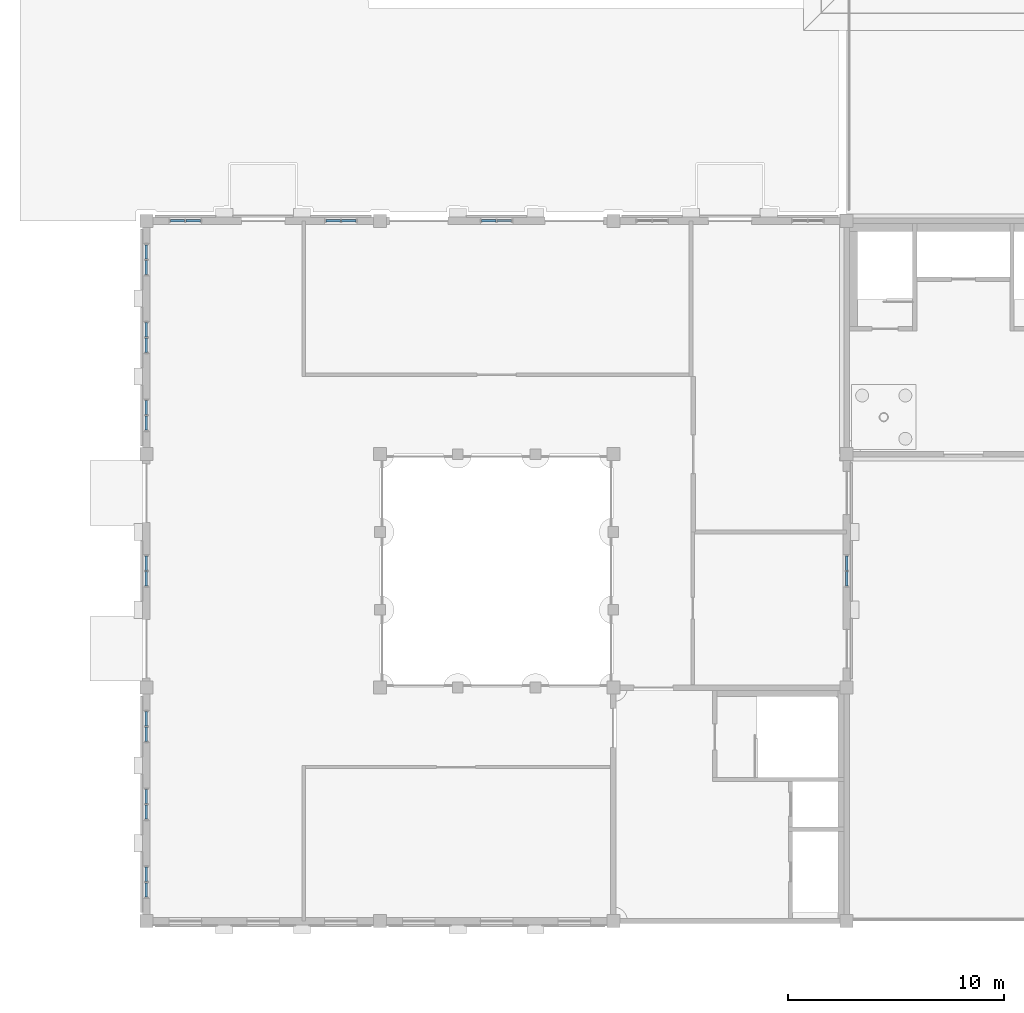
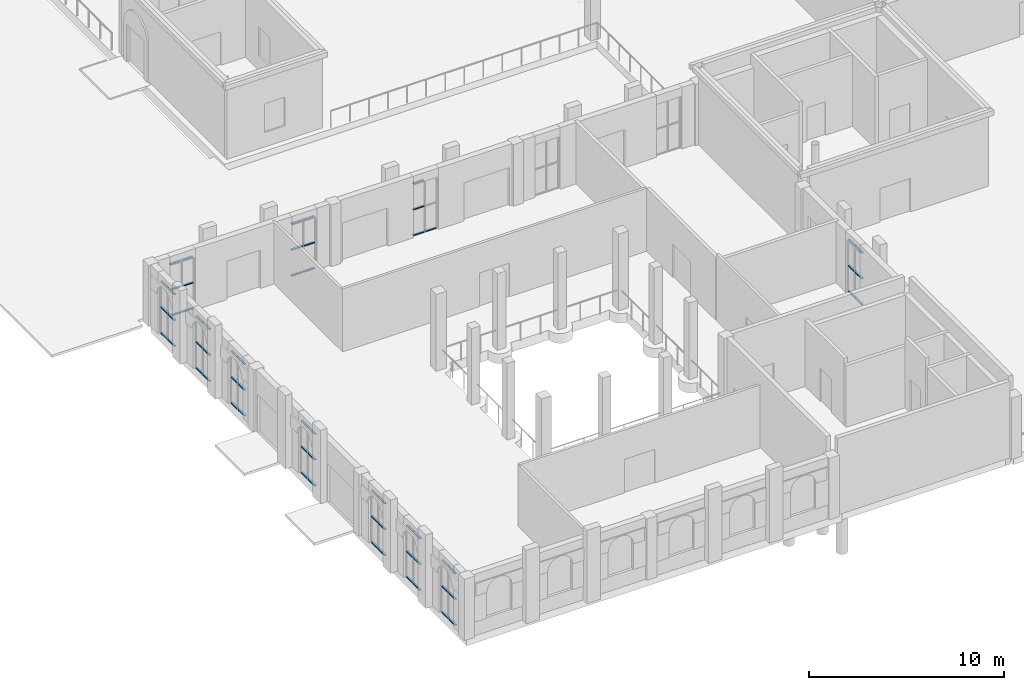
# One storey, part 28 of 91: 64 members, 11 elements without a shape of their own.
"""IFC4 building model written with IfcOpenShell, lengths in metres."""

from ifc_helpers import new_model, si_unit, direction, frame, origin, origin_2d, place, context, subcontext, project, spatial, rectangle, extrude, material, layer, layer_set, material_profile, profile_set, type_object, element, aggregate, save


model = new_model("IFC4")

# Units and contexts
model_context = context("Model", 3, precision=1e-05, world=origin(), true_north=direction((0.0, 1.0)))
body_context = subcontext(model_context, "Body", "Model", "MODEL_VIEW")
ifc_project = project(units=[si_unit("LENGTHUNIT", "METRE"), si_unit("AREAUNIT", "SQUARE_METRE"), si_unit("VOLUMEUNIT", "CUBIC_METRE"), si_unit("PLANEANGLEUNIT", "RADIAN"), si_unit("MASSUNIT", "GRAM", prefix="KILO")], contexts=[model_context])

# Site, building, storey
site_placement = place(None, origin())
site = spatial("IfcSite", under=ifc_project, at=site_placement, CompositionType="ELEMENT")
building_placement = place(site_placement, origin())
building = spatial("IfcBuilding", under=site, at=building_placement, Name="Magnolia Steps Interchange", CompositionType="ELEMENT")
storey_placement = place(building_placement, origin())
storey = spatial("IfcBuildingStorey", under=building, at=storey_placement, Name="L00", CompositionType="ELEMENT", Elevation=0.0)

# Curtain wall, members
ifc_material_1 = material(Name="Timber-framed glazing", Category="wood")
ifc_layer = layer(ifc_material_1, 0.139892578125)
ifc_layer_set = layer_set([ifc_layer], Name="Cycle hub shopfront curtain wall")
curtain_wall_type = type_object("IfcCurtainWallType", Name="Cycle hub shopfront curtain wall", PredefinedType="NOTDEFINED", material=ifc_layer_set)
curtain_wall_1_placement = place(storey_placement, origin())
curtain_wall_1 = element("IfcCurtainWall", 1, at=curtain_wall_1_placement, inside=storey, type_object=curtain_wall_type, Name="Cycle hub west wall L00 glazing 2", PredefinedType="NOTDEFINED")
ifc_material_2 = material(Name="White powder-coated aluminium", Category="aluminium")
ifc_material_profile = material_profile(ifc_material_2, rectangle(XDim=0.06005859375, YDim=0.1201171875, at=origin_2d()), Name="Aluminium transom 60 x 120")
ifc_profile_set = profile_set([ifc_material_profile], Name="White powder-coated aluminium")
member_type = type_object("IfcMemberType", Name="Aluminium transom 60 x 120", PredefinedType="USERDEFINED", material=ifc_profile_set)
member_1_placement = place(storey_placement, frame((10.0, 11.110107421875, 0.030029296875), z_axis=(0.0, 1.0, 0.0), x_axis=(0.0, 0.0, 1.0)))
member_1 = element("IfcMember", 2, at=member_1_placement, type_object=member_type, Name="CW7 transom 1.1", ObjectType="TRANSOM", PredefinedType="USERDEFINED", context=body_context, shape_type="SweptSolid", body=[
    extrude(rectangle(XDim=0.06005859375, YDim=0.1201171875, at=origin_2d()), origin(), (0.0, 0.0, 1.0), 0.659912109375),
])
member_2_placement = place(storey_placement, frame((10.0, 11.110107421875, 1.64990234375), z_axis=(0.0, 1.0, 0.0), x_axis=(0.0, 0.0, 1.0)))
member_2 = element("IfcMember", 3, at=member_2_placement, type_object=member_type, Name="CW7 transom 1.2", ObjectType="TRANSOM", PredefinedType="USERDEFINED", context=body_context, shape_type="SweptSolid", body=[
    extrude(rectangle(XDim=0.06005859375, YDim=0.1201171875, at=origin_2d()), origin(), (0.0, 0.0, 1.0), 0.659912109375),
])
member_3_placement = place(storey_placement, frame((10.0, 11.110107421875, 3.27001953125), z_axis=(0.0, 1.0, 0.0), x_axis=(0.0, 0.0, 1.0)))
member_3 = element("IfcMember", 4, at=member_3_placement, type_object=member_type, Name="CW7 transom 1.3", ObjectType="TRANSOM", PredefinedType="USERDEFINED", context=body_context, shape_type="SweptSolid", body=[
    extrude(rectangle(XDim=0.06005859375, YDim=0.1201171875, at=origin_2d()), origin(), (0.0, 0.0, 1.0), 0.659912109375),
])
member_4_placement = place(storey_placement, frame((10.0, 11.830078125, 0.030029296875), z_axis=(0.0, 1.0, 0.0), x_axis=(0.0, 0.0, 1.0)))
member_4 = element("IfcMember", 5, at=member_4_placement, type_object=member_type, Name="CW7 transom 2.1", ObjectType="TRANSOM", PredefinedType="USERDEFINED", context=body_context, shape_type="SweptSolid", body=[
    extrude(rectangle(XDim=0.06005859375, YDim=0.1201171875, at=origin_2d()), origin(), (0.0, 0.0, 1.0), 0.659912109375),
])
member_5_placement = place(storey_placement, frame((10.0, 11.830078125, 1.64990234375), z_axis=(0.0, 1.0, 0.0), x_axis=(0.0, 0.0, 1.0)))
member_5 = element("IfcMember", 6, at=member_5_placement, type_object=member_type, Name="CW7 transom 2.2", ObjectType="TRANSOM", PredefinedType="USERDEFINED", context=body_context, shape_type="SweptSolid", body=[
    extrude(rectangle(XDim=0.06005859375, YDim=0.1201171875, at=origin_2d()), origin(), (0.0, 0.0, 1.0), 0.659912109375),
])
member_6_placement = place(storey_placement, frame((10.0, 11.830078125, 3.27001953125), z_axis=(0.0, 1.0, 0.0), x_axis=(0.0, 0.0, 1.0)))
member_6 = element("IfcMember", 7, at=member_6_placement, type_object=member_type, Name="CW7 transom 2.3", ObjectType="TRANSOM", PredefinedType="USERDEFINED", context=body_context, shape_type="SweptSolid", body=[
    extrude(rectangle(XDim=0.06005859375, YDim=0.1201171875, at=origin_2d()), origin(), (0.0, 0.0, 1.0), 0.659912109375),
])
aggregate(curtain_wall_1, [member_1, member_2, member_3, member_4, member_5, member_6])

curtain_wall_2_placement = place(storey_placement, origin())
curtain_wall_2 = element("IfcCurtainWall", 8, at=curtain_wall_2_placement, inside=storey, type_object=curtain_wall_type, Name="Cycle hub west wall L00 glazing 4", PredefinedType="NOTDEFINED")
member_7_placement = place(storey_placement, frame((10.0, 14.7099609375, 0.030029296875), z_axis=(0.0, 1.0, 0.0), x_axis=(0.0, 0.0, 1.0)))
member_7 = element("IfcMember", 9, at=member_7_placement, type_object=member_type, Name="CW7 transom 1.1", ObjectType="TRANSOM", PredefinedType="USERDEFINED", context=body_context, shape_type="SweptSolid", body=[
    extrude(rectangle(XDim=0.06005859375, YDim=0.1201171875, at=origin_2d()), origin(), (0.0, 0.0, 1.0), 0.66015625),
])
member_8_placement = place(storey_placement, frame((10.0, 14.7099609375, 1.64990234375), z_axis=(0.0, 1.0, 0.0), x_axis=(0.0, 0.0, 1.0)))
member_8 = element("IfcMember", 10, at=member_8_placement, type_object=member_type, Name="CW7 transom 1.2", ObjectType="TRANSOM", PredefinedType="USERDEFINED", context=body_context, shape_type="SweptSolid", body=[
    extrude(rectangle(XDim=0.06005859375, YDim=0.1201171875, at=origin_2d()), origin(), (0.0, 0.0, 1.0), 0.66015625),
])
member_9_placement = place(storey_placement, frame((10.0, 14.7099609375, 3.27001953125), z_axis=(0.0, 1.0, 0.0), x_axis=(0.0, 0.0, 1.0)))
member_9 = element("IfcMember", 11, at=member_9_placement, type_object=member_type, Name="CW7 transom 1.3", ObjectType="TRANSOM", PredefinedType="USERDEFINED", context=body_context, shape_type="SweptSolid", body=[
    extrude(rectangle(XDim=0.06005859375, YDim=0.1201171875, at=origin_2d()), origin(), (0.0, 0.0, 1.0), 0.66015625),
])
member_10_placement = place(storey_placement, frame((10.0, 15.429931640625, 0.030029296875), z_axis=(0.0, 1.0, 0.0), x_axis=(0.0, 0.0, 1.0)))
member_10 = element("IfcMember", 12, at=member_10_placement, type_object=member_type, Name="CW7 transom 2.1", ObjectType="TRANSOM", PredefinedType="USERDEFINED", context=body_context, shape_type="SweptSolid", body=[
    extrude(rectangle(XDim=0.06005859375, YDim=0.1201171875, at=origin_2d()), origin(), (0.0, 0.0, 1.0), 0.66015625),
])
member_11_placement = place(storey_placement, frame((10.0, 15.429931640625, 1.64990234375), z_axis=(0.0, 1.0, 0.0), x_axis=(0.0, 0.0, 1.0)))
member_11 = element("IfcMember", 13, at=member_11_placement, type_object=member_type, Name="CW7 transom 2.2", ObjectType="TRANSOM", PredefinedType="USERDEFINED", context=body_context, shape_type="SweptSolid", body=[
    extrude(rectangle(XDim=0.06005859375, YDim=0.1201171875, at=origin_2d()), origin(), (0.0, 0.0, 1.0), 0.66015625),
])
member_12_placement = place(storey_placement, frame((10.0, 15.429931640625, 3.27001953125), z_axis=(0.0, 1.0, 0.0), x_axis=(0.0, 0.0, 1.0)))
member_12 = element("IfcMember", 14, at=member_12_placement, type_object=member_type, Name="CW7 transom 2.3", ObjectType="TRANSOM", PredefinedType="USERDEFINED", context=body_context, shape_type="SweptSolid", body=[
    extrude(rectangle(XDim=0.06005859375, YDim=0.1201171875, at=origin_2d()), origin(), (0.0, 0.0, 1.0), 0.66015625),
])
aggregate(curtain_wall_2, [member_7, member_8, member_9, member_10, member_11, member_12])

curtain_wall_3_placement = place(storey_placement, origin())
curtain_wall_3 = element("IfcCurtainWall", 15, at=curtain_wall_3_placement, inside=storey, type_object=curtain_wall_type, Name="Cycle hub west wall L00 glazing 6", PredefinedType="NOTDEFINED")
member_13_placement = place(storey_placement, frame((10.0, 18.31005859375, 0.030029296875), z_axis=(0.0, 1.0, 0.0), x_axis=(0.0, 0.0, 1.0)))
member_13 = element("IfcMember", 16, at=member_13_placement, type_object=member_type, Name="CW7 transom 1.1", ObjectType="TRANSOM", PredefinedType="USERDEFINED", context=body_context, shape_type="SweptSolid", body=[
    extrude(rectangle(XDim=0.06005859375, YDim=0.1201171875, at=origin_2d()), origin(), (0.0, 0.0, 1.0), 0.659912109375),
])
member_14_placement = place(storey_placement, frame((10.0, 18.31005859375, 1.64990234375), z_axis=(0.0, 1.0, 0.0), x_axis=(0.0, 0.0, 1.0)))
member_14 = element("IfcMember", 17, at=member_14_placement, type_object=member_type, Name="CW7 transom 1.2", ObjectType="TRANSOM", PredefinedType="USERDEFINED", context=body_context, shape_type="SweptSolid", body=[
    extrude(rectangle(XDim=0.06005859375, YDim=0.1201171875, at=origin_2d()), origin(), (0.0, 0.0, 1.0), 0.659912109375),
])
member_15_placement = place(storey_placement, frame((10.0, 18.31005859375, 3.27001953125), z_axis=(0.0, 1.0, 0.0), x_axis=(0.0, 0.0, 1.0)))
member_15 = element("IfcMember", 18, at=member_15_placement, type_object=member_type, Name="CW7 transom 1.3", ObjectType="TRANSOM", PredefinedType="USERDEFINED", context=body_context, shape_type="SweptSolid", body=[
    extrude(rectangle(XDim=0.06005859375, YDim=0.1201171875, at=origin_2d()), origin(), (0.0, 0.0, 1.0), 0.659912109375),
])
member_16_placement = place(storey_placement, frame((10.0, 19.030029296875, 0.030029296875), z_axis=(0.0, 1.0, 0.0), x_axis=(0.0, 0.0, 1.0)))
member_16 = element("IfcMember", 19, at=member_16_placement, type_object=member_type, Name="CW7 transom 2.1", ObjectType="TRANSOM", PredefinedType="USERDEFINED", context=body_context, shape_type="SweptSolid", body=[
    extrude(rectangle(XDim=0.06005859375, YDim=0.1201171875, at=origin_2d()), origin(), (0.0, 0.0, 1.0), 0.659912109375),
])
member_17_placement = place(storey_placement, frame((10.0, 19.030029296875, 1.64990234375), z_axis=(0.0, 1.0, 0.0), x_axis=(0.0, 0.0, 1.0)))
member_17 = element("IfcMember", 20, at=member_17_placement, type_object=member_type, Name="CW7 transom 2.2", ObjectType="TRANSOM", PredefinedType="USERDEFINED", context=body_context, shape_type="SweptSolid", body=[
    extrude(rectangle(XDim=0.06005859375, YDim=0.1201171875, at=origin_2d()), origin(), (0.0, 0.0, 1.0), 0.659912109375),
])
member_18_placement = place(storey_placement, frame((10.0, 19.030029296875, 3.27001953125), z_axis=(0.0, 1.0, 0.0), x_axis=(0.0, 0.0, 1.0)))
member_18 = element("IfcMember", 21, at=member_18_placement, type_object=member_type, Name="CW7 transom 2.3", ObjectType="TRANSOM", PredefinedType="USERDEFINED", context=body_context, shape_type="SweptSolid", body=[
    extrude(rectangle(XDim=0.06005859375, YDim=0.1201171875, at=origin_2d()), origin(), (0.0, 0.0, 1.0), 0.659912109375),
])
aggregate(curtain_wall_3, [member_13, member_14, member_15, member_16, member_17, member_18])

curtain_wall_4_placement = place(storey_placement, origin())
curtain_wall_4 = element("IfcCurtainWall", 22, at=curtain_wall_4_placement, inside=storey, type_object=curtain_wall_type, Name="Cycle hub west wall L00 glazing 8", PredefinedType="NOTDEFINED")
member_19_placement = place(storey_placement, frame((10.0, 25.510009765625, 0.030029296875), z_axis=(0.0, 1.0, 0.0), x_axis=(0.0, 0.0, 1.0)))
member_19 = element("IfcMember", 23, at=member_19_placement, type_object=member_type, Name="CW7 transom 1.1", ObjectType="TRANSOM", PredefinedType="USERDEFINED", context=body_context, shape_type="SweptSolid", body=[
    extrude(rectangle(XDim=0.06005859375, YDim=0.1201171875, at=origin_2d()), origin(), (0.0, 0.0, 1.0), 0.659912109375),
])
member_20_placement = place(storey_placement, frame((10.0, 25.510009765625, 1.64990234375), z_axis=(0.0, 1.0, 0.0), x_axis=(0.0, 0.0, 1.0)))
member_20 = element("IfcMember", 24, at=member_20_placement, type_object=member_type, Name="CW7 transom 1.2", ObjectType="TRANSOM", PredefinedType="USERDEFINED", context=body_context, shape_type="SweptSolid", body=[
    extrude(rectangle(XDim=0.06005859375, YDim=0.1201171875, at=origin_2d()), origin(), (0.0, 0.0, 1.0), 0.659912109375),
])
member_21_placement = place(storey_placement, frame((10.0, 25.510009765625, 3.27001953125), z_axis=(0.0, 1.0, 0.0), x_axis=(0.0, 0.0, 1.0)))
member_21 = element("IfcMember", 25, at=member_21_placement, type_object=member_type, Name="CW7 transom 1.3", ObjectType="TRANSOM", PredefinedType="USERDEFINED", context=body_context, shape_type="SweptSolid", body=[
    extrude(rectangle(XDim=0.06005859375, YDim=0.1201171875, at=origin_2d()), origin(), (0.0, 0.0, 1.0), 0.659912109375),
])
member_22_placement = place(storey_placement, frame((10.0, 26.22998046875, 0.030029296875), z_axis=(0.0, 1.0, 0.0), x_axis=(0.0, 0.0, 1.0)))
member_22 = element("IfcMember", 26, at=member_22_placement, type_object=member_type, Name="CW7 transom 2.1", ObjectType="TRANSOM", PredefinedType="USERDEFINED", context=body_context, shape_type="SweptSolid", body=[
    extrude(rectangle(XDim=0.06005859375, YDim=0.1201171875, at=origin_2d()), origin(), (0.0, 0.0, 1.0), 0.659912109375),
])
member_23_placement = place(storey_placement, frame((10.0, 26.22998046875, 1.64990234375), z_axis=(0.0, 1.0, 0.0), x_axis=(0.0, 0.0, 1.0)))
member_23 = element("IfcMember", 27, at=member_23_placement, type_object=member_type, Name="CW7 transom 2.2", ObjectType="TRANSOM", PredefinedType="USERDEFINED", context=body_context, shape_type="SweptSolid", body=[
    extrude(rectangle(XDim=0.06005859375, YDim=0.1201171875, at=origin_2d()), origin(), (0.0, 0.0, 1.0), 0.659912109375),
])
member_24_placement = place(storey_placement, frame((10.0, 26.22998046875, 3.27001953125), z_axis=(0.0, 1.0, 0.0), x_axis=(0.0, 0.0, 1.0)))
member_24 = element("IfcMember", 28, at=member_24_placement, type_object=member_type, Name="CW7 transom 2.3", ObjectType="TRANSOM", PredefinedType="USERDEFINED", context=body_context, shape_type="SweptSolid", body=[
    extrude(rectangle(XDim=0.06005859375, YDim=0.1201171875, at=origin_2d()), origin(), (0.0, 0.0, 1.0), 0.659912109375),
])
aggregate(curtain_wall_4, [member_19, member_20, member_21, member_22, member_23, member_24])

curtain_wall_5_placement = place(storey_placement, origin())
curtain_wall_5 = element("IfcCurtainWall", 29, at=curtain_wall_5_placement, inside=storey, type_object=curtain_wall_type, Name="Cycle hub west wall L00 glazing 10", PredefinedType="NOTDEFINED")
member_25_placement = place(storey_placement, frame((10.0, 32.7099609375, 0.030029296875), z_axis=(0.0, 1.0, 0.0), x_axis=(0.0, 0.0, 1.0)))
member_25 = element("IfcMember", 30, at=member_25_placement, type_object=member_type, Name="CW7 transom 1.1", ObjectType="TRANSOM", PredefinedType="USERDEFINED", context=body_context, shape_type="SweptSolid", body=[
    extrude(rectangle(XDim=0.06005859375, YDim=0.1201171875, at=origin_2d()), origin(), (0.0, 0.0, 1.0), 0.66015625),
])
member_26_placement = place(storey_placement, frame((10.0, 32.7099609375, 1.64990234375), z_axis=(0.0, 1.0, 0.0), x_axis=(0.0, 0.0, 1.0)))
member_26 = element("IfcMember", 31, at=member_26_placement, type_object=member_type, Name="CW7 transom 1.2", ObjectType="TRANSOM", PredefinedType="USERDEFINED", context=body_context, shape_type="SweptSolid", body=[
    extrude(rectangle(XDim=0.06005859375, YDim=0.1201171875, at=origin_2d()), origin(), (0.0, 0.0, 1.0), 0.66015625),
])
member_27_placement = place(storey_placement, frame((10.0, 32.7099609375, 3.27001953125), z_axis=(0.0, 1.0, 0.0), x_axis=(0.0, 0.0, 1.0)))
member_27 = element("IfcMember", 32, at=member_27_placement, type_object=member_type, Name="CW7 transom 1.3", ObjectType="TRANSOM", PredefinedType="USERDEFINED", context=body_context, shape_type="SweptSolid", body=[
    extrude(rectangle(XDim=0.06005859375, YDim=0.1201171875, at=origin_2d()), origin(), (0.0, 0.0, 1.0), 0.66015625),
])
member_28_placement = place(storey_placement, frame((10.0, 33.429931640625, 0.030029296875), z_axis=(0.0, 1.0, 0.0), x_axis=(0.0, 0.0, 1.0)))
member_28 = element("IfcMember", 33, at=member_28_placement, type_object=member_type, Name="CW7 transom 2.1", ObjectType="TRANSOM", PredefinedType="USERDEFINED", context=body_context, shape_type="SweptSolid", body=[
    extrude(rectangle(XDim=0.06005859375, YDim=0.1201171875, at=origin_2d()), origin(), (0.0, 0.0, 1.0), 0.66015625),
])
member_29_placement = place(storey_placement, frame((10.0, 33.429931640625, 1.64990234375), z_axis=(0.0, 1.0, 0.0), x_axis=(0.0, 0.0, 1.0)))
member_29 = element("IfcMember", 34, at=member_29_placement, type_object=member_type, Name="CW7 transom 2.2", ObjectType="TRANSOM", PredefinedType="USERDEFINED", context=body_context, shape_type="SweptSolid", body=[
    extrude(rectangle(XDim=0.06005859375, YDim=0.1201171875, at=origin_2d()), origin(), (0.0, 0.0, 1.0), 0.66015625),
])
member_30_placement = place(storey_placement, frame((10.0, 33.429931640625, 3.27001953125), z_axis=(0.0, 1.0, 0.0), x_axis=(0.0, 0.0, 1.0)))
member_30 = element("IfcMember", 35, at=member_30_placement, type_object=member_type, Name="CW7 transom 2.3", ObjectType="TRANSOM", PredefinedType="USERDEFINED", context=body_context, shape_type="SweptSolid", body=[
    extrude(rectangle(XDim=0.06005859375, YDim=0.1201171875, at=origin_2d()), origin(), (0.0, 0.0, 1.0), 0.66015625),
])
aggregate(curtain_wall_5, [member_25, member_26, member_27, member_28, member_29, member_30])

curtain_wall_6_placement = place(storey_placement, origin())
curtain_wall_6 = element("IfcCurtainWall", 36, at=curtain_wall_6_placement, inside=storey, type_object=curtain_wall_type, Name="Cycle hub west wall L00 glazing 12", PredefinedType="NOTDEFINED")
member_31_placement = place(storey_placement, frame((10.0, 36.31005859375, 0.030029296875), z_axis=(0.0, 1.0, 0.0), x_axis=(0.0, 0.0, 1.0)))
member_31 = element("IfcMember", 37, at=member_31_placement, type_object=member_type, Name="CW7 transom 1.1", ObjectType="TRANSOM", PredefinedType="USERDEFINED", context=body_context, shape_type="SweptSolid", body=[
    extrude(rectangle(XDim=0.06005859375, YDim=0.1201171875, at=origin_2d()), origin(), (0.0, 0.0, 1.0), 0.659912109375),
])
member_32_placement = place(storey_placement, frame((10.0, 36.31005859375, 1.64990234375), z_axis=(0.0, 1.0, 0.0), x_axis=(0.0, 0.0, 1.0)))
member_32 = element("IfcMember", 38, at=member_32_placement, type_object=member_type, Name="CW7 transom 1.2", ObjectType="TRANSOM", PredefinedType="USERDEFINED", context=body_context, shape_type="SweptSolid", body=[
    extrude(rectangle(XDim=0.06005859375, YDim=0.1201171875, at=origin_2d()), origin(), (0.0, 0.0, 1.0), 0.659912109375),
])
member_33_placement = place(storey_placement, frame((10.0, 36.31005859375, 3.27001953125), z_axis=(0.0, 1.0, 0.0), x_axis=(0.0, 0.0, 1.0)))
member_33 = element("IfcMember", 39, at=member_33_placement, type_object=member_type, Name="CW7 transom 1.3", ObjectType="TRANSOM", PredefinedType="USERDEFINED", context=body_context, shape_type="SweptSolid", body=[
    extrude(rectangle(XDim=0.06005859375, YDim=0.1201171875, at=origin_2d()), origin(), (0.0, 0.0, 1.0), 0.659912109375),
])
member_34_placement = place(storey_placement, frame((10.0, 37.030029296875, 0.030029296875), z_axis=(0.0, 1.0, 0.0), x_axis=(0.0, 0.0, 1.0)))
member_34 = element("IfcMember", 40, at=member_34_placement, type_object=member_type, Name="CW7 transom 2.1", ObjectType="TRANSOM", PredefinedType="USERDEFINED", context=body_context, shape_type="SweptSolid", body=[
    extrude(rectangle(XDim=0.06005859375, YDim=0.1201171875, at=origin_2d()), origin(), (0.0, 0.0, 1.0), 0.659912109375),
])
member_35_placement = place(storey_placement, frame((10.0, 37.030029296875, 1.64990234375), z_axis=(0.0, 1.0, 0.0), x_axis=(0.0, 0.0, 1.0)))
member_35 = element("IfcMember", 41, at=member_35_placement, type_object=member_type, Name="CW7 transom 2.2", ObjectType="TRANSOM", PredefinedType="USERDEFINED", context=body_context, shape_type="SweptSolid", body=[
    extrude(rectangle(XDim=0.06005859375, YDim=0.1201171875, at=origin_2d()), origin(), (0.0, 0.0, 1.0), 0.659912109375),
])
member_36_placement = place(storey_placement, frame((10.0, 37.030029296875, 3.27001953125), z_axis=(0.0, 1.0, 0.0), x_axis=(0.0, 0.0, 1.0)))
member_36 = element("IfcMember", 42, at=member_36_placement, type_object=member_type, Name="CW7 transom 2.3", ObjectType="TRANSOM", PredefinedType="USERDEFINED", context=body_context, shape_type="SweptSolid", body=[
    extrude(rectangle(XDim=0.06005859375, YDim=0.1201171875, at=origin_2d()), origin(), (0.0, 0.0, 1.0), 0.659912109375),
])
aggregate(curtain_wall_6, [member_31, member_32, member_33, member_34, member_35, member_36])

curtain_wall_7_placement = place(storey_placement, origin())
curtain_wall_7 = element("IfcCurtainWall", 43, at=curtain_wall_7_placement, inside=storey, type_object=curtain_wall_type, Name="Cycle hub west wall L00 glazing 14", PredefinedType="NOTDEFINED")
member_37_placement = place(storey_placement, frame((10.0, 39.909912109375, 0.030029296875), z_axis=(0.0, 1.0, 0.0), x_axis=(0.0, 0.0, 1.0)))
member_37 = element("IfcMember", 44, at=member_37_placement, type_object=member_type, Name="CW7 transom 1.1", ObjectType="TRANSOM", PredefinedType="USERDEFINED", context=body_context, shape_type="SweptSolid", body=[
    extrude(rectangle(XDim=0.06005859375, YDim=0.1201171875, at=origin_2d()), origin(), (0.0, 0.0, 1.0), 0.66015625),
])
member_38_placement = place(storey_placement, frame((10.0, 39.909912109375, 1.64990234375), z_axis=(0.0, 1.0, 0.0), x_axis=(0.0, 0.0, 1.0)))
member_38 = element("IfcMember", 45, at=member_38_placement, type_object=member_type, Name="CW7 transom 1.2", ObjectType="TRANSOM", PredefinedType="USERDEFINED", context=body_context, shape_type="SweptSolid", body=[
    extrude(rectangle(XDim=0.06005859375, YDim=0.1201171875, at=origin_2d()), origin(), (0.0, 0.0, 1.0), 0.66015625),
])
member_39_placement = place(storey_placement, frame((10.0, 39.909912109375, 3.27001953125), z_axis=(0.0, 1.0, 0.0), x_axis=(0.0, 0.0, 1.0)))
member_39 = element("IfcMember", 46, at=member_39_placement, type_object=member_type, Name="CW7 transom 1.3", ObjectType="TRANSOM", PredefinedType="USERDEFINED", context=body_context, shape_type="SweptSolid", body=[
    extrude(rectangle(XDim=0.06005859375, YDim=0.1201171875, at=origin_2d()), origin(), (0.0, 0.0, 1.0), 0.66015625),
])
member_40_placement = place(storey_placement, frame((10.0, 40.6298828125, 0.030029296875), z_axis=(0.0, 1.0, 0.0), x_axis=(0.0, 0.0, 1.0)))
member_40 = element("IfcMember", 47, at=member_40_placement, type_object=member_type, Name="CW7 transom 2.1", ObjectType="TRANSOM", PredefinedType="USERDEFINED", context=body_context, shape_type="SweptSolid", body=[
    extrude(rectangle(XDim=0.06005859375, YDim=0.1201171875, at=origin_2d()), origin(), (0.0, 0.0, 1.0), 0.66015625),
])
member_41_placement = place(storey_placement, frame((10.0, 40.6298828125, 1.64990234375), z_axis=(0.0, 1.0, 0.0), x_axis=(0.0, 0.0, 1.0)))
member_41 = element("IfcMember", 48, at=member_41_placement, type_object=member_type, Name="CW7 transom 2.2", ObjectType="TRANSOM", PredefinedType="USERDEFINED", context=body_context, shape_type="SweptSolid", body=[
    extrude(rectangle(XDim=0.06005859375, YDim=0.1201171875, at=origin_2d()), origin(), (0.0, 0.0, 1.0), 0.66015625),
])
member_42_placement = place(storey_placement, frame((10.0, 40.6298828125, 3.27001953125), z_axis=(0.0, 1.0, 0.0), x_axis=(0.0, 0.0, 1.0)))
member_42 = element("IfcMember", 49, at=member_42_placement, type_object=member_type, Name="CW7 transom 2.3", ObjectType="TRANSOM", PredefinedType="USERDEFINED", context=body_context, shape_type="SweptSolid", body=[
    extrude(rectangle(XDim=0.06005859375, YDim=0.1201171875, at=origin_2d()), origin(), (0.0, 0.0, 1.0), 0.66015625),
])
aggregate(curtain_wall_7, [member_37, member_38, member_39, member_40, member_41, member_42])

curtain_wall_8_placement = place(storey_placement, origin())
curtain_wall_8 = element("IfcCurtainWall", 50, at=curtain_wall_8_placement, inside=storey, type_object=curtain_wall_type, Name="Cycle hub north wall L00 glazing 2", PredefinedType="NOTDEFINED")
member_43_placement = place(storey_placement, frame((11.110107421875, 42.39990234375, 0.030029296875), z_axis=(1.0, 0.0, 0.0), x_axis=(0.0, 0.0, 1.0)))
member_43 = element("IfcMember", 51, at=member_43_placement, type_object=member_type, Name="CW7 transom 1.1", ObjectType="TRANSOM", PredefinedType="USERDEFINED", context=body_context, shape_type="SweptSolid", body=[
    extrude(rectangle(XDim=0.06005859375, YDim=0.1201171875, at=origin_2d()), origin(), (0.0, 0.0, 1.0), 0.659912109375),
])
member_44_placement = place(storey_placement, frame((11.110107421875, 42.39990234375, 1.64990234375), z_axis=(1.0, 0.0, 0.0), x_axis=(0.0, 0.0, 1.0)))
member_44 = element("IfcMember", 52, at=member_44_placement, type_object=member_type, Name="CW7 transom 1.2", ObjectType="TRANSOM", PredefinedType="USERDEFINED", context=body_context, shape_type="SweptSolid", body=[
    extrude(rectangle(XDim=0.06005859375, YDim=0.1201171875, at=origin_2d()), origin(), (0.0, 0.0, 1.0), 0.659912109375),
])
member_45_placement = place(storey_placement, frame((11.110107421875, 42.39990234375, 3.27001953125), z_axis=(1.0, 0.0, 0.0), x_axis=(0.0, 0.0, 1.0)))
member_45 = element("IfcMember", 53, at=member_45_placement, type_object=member_type, Name="CW7 transom 1.3", ObjectType="TRANSOM", PredefinedType="USERDEFINED", context=body_context, shape_type="SweptSolid", body=[
    extrude(rectangle(XDim=0.06005859375, YDim=0.1201171875, at=origin_2d()), origin(), (0.0, 0.0, 1.0), 0.659912109375),
])
member_46_placement = place(storey_placement, frame((11.830078125, 42.39990234375, 0.030029296875), z_axis=(1.0, 0.0, 0.0), x_axis=(0.0, 0.0, 1.0)))
member_46 = element("IfcMember", 54, at=member_46_placement, type_object=member_type, Name="CW7 transom 2.1", ObjectType="TRANSOM", PredefinedType="USERDEFINED", context=body_context, shape_type="SweptSolid", body=[
    extrude(rectangle(XDim=0.06005859375, YDim=0.1201171875, at=origin_2d()), origin(), (0.0, 0.0, 1.0), 0.659912109375),
])
member_47_placement = place(storey_placement, frame((11.830078125, 42.39990234375, 1.64990234375), z_axis=(1.0, 0.0, 0.0), x_axis=(0.0, 0.0, 1.0)))
member_47 = element("IfcMember", 55, at=member_47_placement, type_object=member_type, Name="CW7 transom 2.2", ObjectType="TRANSOM", PredefinedType="USERDEFINED", context=body_context, shape_type="SweptSolid", body=[
    extrude(rectangle(XDim=0.06005859375, YDim=0.1201171875, at=origin_2d()), origin(), (0.0, 0.0, 1.0), 0.659912109375),
])
member_48_placement = place(storey_placement, frame((11.830078125, 42.39990234375, 3.27001953125), z_axis=(1.0, 0.0, 0.0), x_axis=(0.0, 0.0, 1.0)))
member_48 = element("IfcMember", 56, at=member_48_placement, type_object=member_type, Name="CW7 transom 2.3", ObjectType="TRANSOM", PredefinedType="USERDEFINED", context=body_context, shape_type="SweptSolid", body=[
    extrude(rectangle(XDim=0.06005859375, YDim=0.1201171875, at=origin_2d()), origin(), (0.0, 0.0, 1.0), 0.659912109375),
])
aggregate(curtain_wall_8, [member_43, member_44, member_45, member_46, member_47, member_48])

curtain_wall_9_placement = place(storey_placement, origin())
curtain_wall_9 = element("IfcCurtainWall", 57, at=curtain_wall_9_placement, inside=storey, type_object=curtain_wall_type, Name="Cycle hub north wall L00 glazing 4", PredefinedType="NOTDEFINED")
member_49_placement = place(storey_placement, frame((18.31005859375, 42.39990234375, 0.030029296875), z_axis=(1.0, 0.0, 0.0), x_axis=(0.0, 0.0, 1.0)))
member_49 = element("IfcMember", 58, at=member_49_placement, type_object=member_type, Name="CW7 transom 1.1", ObjectType="TRANSOM", PredefinedType="USERDEFINED", context=body_context, shape_type="SweptSolid", body=[
    extrude(rectangle(XDim=0.06005859375, YDim=0.1201171875, at=origin_2d()), origin(), (0.0, 0.0, 1.0), 0.659912109375),
])
member_50_placement = place(storey_placement, frame((18.31005859375, 42.39990234375, 1.64990234375), z_axis=(1.0, 0.0, 0.0), x_axis=(0.0, 0.0, 1.0)))
member_50 = element("IfcMember", 59, at=member_50_placement, type_object=member_type, Name="CW7 transom 1.2", ObjectType="TRANSOM", PredefinedType="USERDEFINED", context=body_context, shape_type="SweptSolid", body=[
    extrude(rectangle(XDim=0.06005859375, YDim=0.1201171875, at=origin_2d()), origin(), (0.0, 0.0, 1.0), 0.659912109375),
])
member_51_placement = place(storey_placement, frame((18.31005859375, 42.39990234375, 3.27001953125), z_axis=(1.0, 0.0, 0.0), x_axis=(0.0, 0.0, 1.0)))
member_51 = element("IfcMember", 60, at=member_51_placement, type_object=member_type, Name="CW7 transom 1.3", ObjectType="TRANSOM", PredefinedType="USERDEFINED", context=body_context, shape_type="SweptSolid", body=[
    extrude(rectangle(XDim=0.06005859375, YDim=0.1201171875, at=origin_2d()), origin(), (0.0, 0.0, 1.0), 0.659912109375),
])
member_52_placement = place(storey_placement, frame((19.030029296875, 42.39990234375, 0.030029296875), z_axis=(1.0, 0.0, 0.0), x_axis=(0.0, 0.0, 1.0)))
member_52 = element("IfcMember", 61, at=member_52_placement, type_object=member_type, Name="CW7 transom 2.1", ObjectType="TRANSOM", PredefinedType="USERDEFINED", context=body_context, shape_type="SweptSolid", body=[
    extrude(rectangle(XDim=0.06005859375, YDim=0.1201171875, at=origin_2d()), origin(), (0.0, 0.0, 1.0), 0.659912109375),
])
member_53_placement = place(storey_placement, frame((19.030029296875, 42.39990234375, 1.64990234375), z_axis=(1.0, 0.0, 0.0), x_axis=(0.0, 0.0, 1.0)))
member_53 = element("IfcMember", 62, at=member_53_placement, type_object=member_type, Name="CW7 transom 2.2", ObjectType="TRANSOM", PredefinedType="USERDEFINED", context=body_context, shape_type="SweptSolid", body=[
    extrude(rectangle(XDim=0.06005859375, YDim=0.1201171875, at=origin_2d()), origin(), (0.0, 0.0, 1.0), 0.659912109375),
])
member_54_placement = place(storey_placement, frame((19.030029296875, 42.39990234375, 3.27001953125), z_axis=(1.0, 0.0, 0.0), x_axis=(0.0, 0.0, 1.0)))
member_54 = element("IfcMember", 63, at=member_54_placement, type_object=member_type, Name="CW7 transom 2.3", ObjectType="TRANSOM", PredefinedType="USERDEFINED", context=body_context, shape_type="SweptSolid", body=[
    extrude(rectangle(XDim=0.06005859375, YDim=0.1201171875, at=origin_2d()), origin(), (0.0, 0.0, 1.0), 0.659912109375),
])
aggregate(curtain_wall_9, [member_49, member_50, member_51, member_52, member_53, member_54])

curtain_wall_10_placement = place(storey_placement, origin())
curtain_wall_10 = element("IfcCurtainWall", 64, at=curtain_wall_10_placement, inside=storey, type_object=curtain_wall_type, Name="Cycle hub north wall L00 glazing 6", PredefinedType="NOTDEFINED")
member_55_placement = place(storey_placement, frame((25.510009765625, 42.39990234375, 0.030029296875), z_axis=(1.0, 0.0, 0.0), x_axis=(0.0, 0.0, 1.0)))
member_55 = element("IfcMember", 65, at=member_55_placement, type_object=member_type, Name="CW7 transom 1.1", ObjectType="TRANSOM", PredefinedType="USERDEFINED", context=body_context, shape_type="SweptSolid", body=[
    extrude(rectangle(XDim=0.06005859375, YDim=0.1201171875, at=origin_2d()), origin(), (0.0, 0.0, 1.0), 0.659912109375),
])
member_56_placement = place(storey_placement, frame((25.510009765625, 42.39990234375, 1.64990234375), z_axis=(1.0, 0.0, 0.0), x_axis=(0.0, 0.0, 1.0)))
member_56 = element("IfcMember", 66, at=member_56_placement, type_object=member_type, Name="CW7 transom 1.2", ObjectType="TRANSOM", PredefinedType="USERDEFINED", context=body_context, shape_type="SweptSolid", body=[
    extrude(rectangle(XDim=0.06005859375, YDim=0.1201171875, at=origin_2d()), origin(), (0.0, 0.0, 1.0), 0.659912109375),
])
member_57_placement = place(storey_placement, frame((25.510009765625, 42.39990234375, 3.27001953125), z_axis=(1.0, 0.0, 0.0), x_axis=(0.0, 0.0, 1.0)))
member_57 = element("IfcMember", 67, at=member_57_placement, type_object=member_type, Name="CW7 transom 1.3", ObjectType="TRANSOM", PredefinedType="USERDEFINED", context=body_context, shape_type="SweptSolid", body=[
    extrude(rectangle(XDim=0.06005859375, YDim=0.1201171875, at=origin_2d()), origin(), (0.0, 0.0, 1.0), 0.659912109375),
])
member_58_placement = place(storey_placement, frame((26.22998046875, 42.39990234375, 0.030029296875), z_axis=(1.0, 0.0, 0.0), x_axis=(0.0, 0.0, 1.0)))
member_58 = element("IfcMember", 68, at=member_58_placement, type_object=member_type, Name="CW7 transom 2.1", ObjectType="TRANSOM", PredefinedType="USERDEFINED", context=body_context, shape_type="SweptSolid", body=[
    extrude(rectangle(XDim=0.06005859375, YDim=0.1201171875, at=origin_2d()), origin(), (0.0, 0.0, 1.0), 0.659912109375),
])
aggregate(curtain_wall_10, [member_55, member_56, member_57, member_58])

curtain_wall_11_placement = place(storey_placement, origin())
curtain_wall_11 = element("IfcCurtainWall", 69, at=curtain_wall_11_placement, inside=storey, type_object=curtain_wall_type, Name="Cycle hub east wall L00 glazing 2", PredefinedType="NOTDEFINED")
member_59_placement = place(storey_placement, frame((42.39990234375, 25.510009765625, 0.030029296875), z_axis=(0.0, 1.0, 0.0), x_axis=(0.0, 0.0, 1.0)))
member_59 = element("IfcMember", 70, at=member_59_placement, type_object=member_type, Name="CW7 transom 1.1", ObjectType="TRANSOM", PredefinedType="USERDEFINED", context=body_context, shape_type="SweptSolid", body=[
    extrude(rectangle(XDim=0.06005859375, YDim=0.1201171875, at=origin_2d()), origin(), (0.0, 0.0, 1.0), 0.659912109375),
])
member_60_placement = place(storey_placement, frame((42.39990234375, 25.510009765625, 1.64990234375), z_axis=(0.0, 1.0, 0.0), x_axis=(0.0, 0.0, 1.0)))
member_60 = element("IfcMember", 71, at=member_60_placement, type_object=member_type, Name="CW7 transom 1.2", ObjectType="TRANSOM", PredefinedType="USERDEFINED", context=body_context, shape_type="SweptSolid", body=[
    extrude(rectangle(XDim=0.06005859375, YDim=0.1201171875, at=origin_2d()), origin(), (0.0, 0.0, 1.0), 0.659912109375),
])
member_61_placement = place(storey_placement, frame((42.39990234375, 25.510009765625, 3.27001953125), z_axis=(0.0, 1.0, 0.0), x_axis=(0.0, 0.0, 1.0)))
member_61 = element("IfcMember", 72, at=member_61_placement, type_object=member_type, Name="CW7 transom 1.3", ObjectType="TRANSOM", PredefinedType="USERDEFINED", context=body_context, shape_type="SweptSolid", body=[
    extrude(rectangle(XDim=0.06005859375, YDim=0.1201171875, at=origin_2d()), origin(), (0.0, 0.0, 1.0), 0.659912109375),
])
member_62_placement = place(storey_placement, frame((42.39990234375, 26.22998046875, 0.030029296875), z_axis=(0.0, 1.0, 0.0), x_axis=(0.0, 0.0, 1.0)))
member_62 = element("IfcMember", 73, at=member_62_placement, type_object=member_type, Name="CW7 transom 2.1", ObjectType="TRANSOM", PredefinedType="USERDEFINED", context=body_context, shape_type="SweptSolid", body=[
    extrude(rectangle(XDim=0.06005859375, YDim=0.1201171875, at=origin_2d()), origin(), (0.0, 0.0, 1.0), 0.659912109375),
])
member_63_placement = place(storey_placement, frame((42.39990234375, 26.22998046875, 1.64990234375), z_axis=(0.0, 1.0, 0.0), x_axis=(0.0, 0.0, 1.0)))
member_63 = element("IfcMember", 74, at=member_63_placement, type_object=member_type, Name="CW7 transom 2.2", ObjectType="TRANSOM", PredefinedType="USERDEFINED", context=body_context, shape_type="SweptSolid", body=[
    extrude(rectangle(XDim=0.06005859375, YDim=0.1201171875, at=origin_2d()), origin(), (0.0, 0.0, 1.0), 0.659912109375),
])
member_64_placement = place(storey_placement, frame((42.39990234375, 26.22998046875, 3.27001953125), z_axis=(0.0, 1.0, 0.0), x_axis=(0.0, 0.0, 1.0)))
member_64 = element("IfcMember", 75, at=member_64_placement, type_object=member_type, Name="CW7 transom 2.3", ObjectType="TRANSOM", PredefinedType="USERDEFINED", context=body_context, shape_type="SweptSolid", body=[
    extrude(rectangle(XDim=0.06005859375, YDim=0.1201171875, at=origin_2d()), origin(), (0.0, 0.0, 1.0), 0.659912109375),
])
aggregate(curtain_wall_11, [member_59, member_60, member_61, member_62, member_63, member_64])

save(model, "model.ifc")
